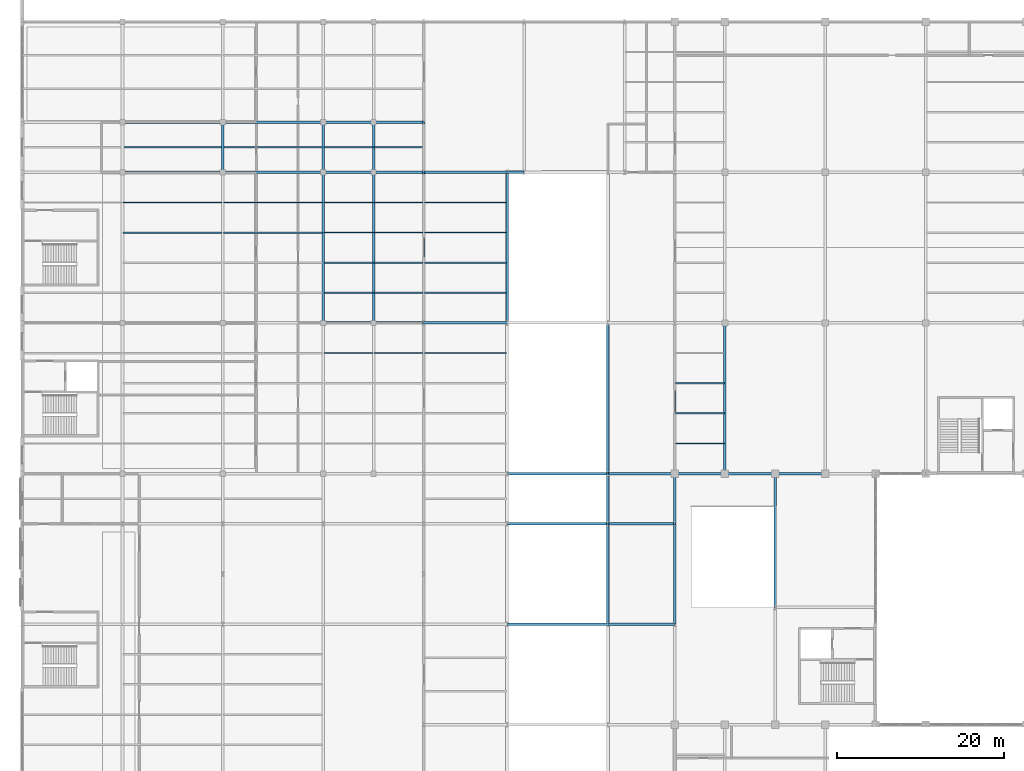
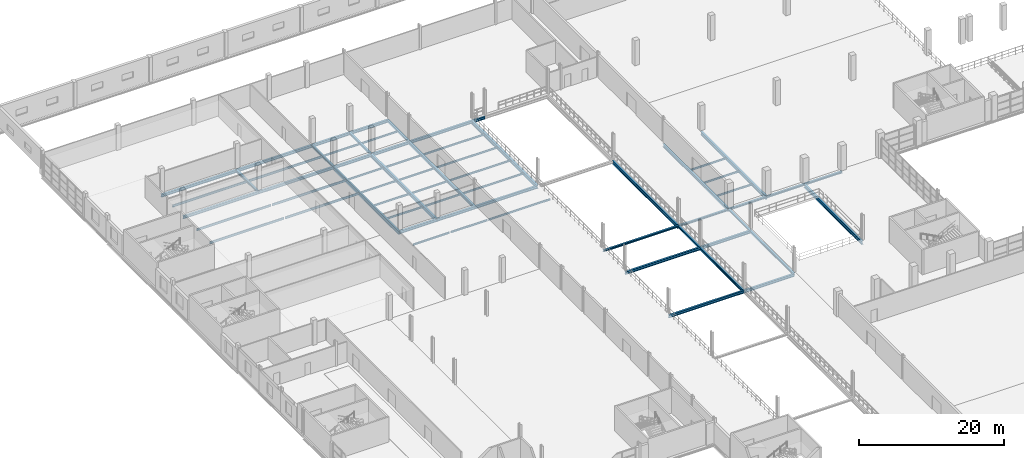
# One storey, part 55 of 158: 64 beams.
"""IFC4 building model written with IfcOpenShell, lengths in metres."""

from ifc_helpers import new_model, si_unit, direction, frame, origin, origin_2d, place, context, subcontext, project, spatial, i_section, extrude, material, material_profile, profile_set, type_object, element, save


model = new_model("IFC4")

# Units and contexts
model_context = context("Model", 3, precision=1e-05, world=origin(), true_north=direction((0.0, 1.0)))
body_context = subcontext(model_context, "Body", "Model", "MODEL_VIEW")
ifc_project = project(units=[si_unit("LENGTHUNIT", "METRE"), si_unit("AREAUNIT", "SQUARE_METRE"), si_unit("VOLUMEUNIT", "CUBIC_METRE"), si_unit("PLANEANGLEUNIT", "RADIAN"), si_unit("MASSUNIT", "GRAM", prefix="KILO")], contexts=[model_context])

# Site, building, storey
site_placement = place(None, origin())
site = spatial("IfcSite", under=ifc_project, at=site_placement, CompositionType="ELEMENT")
building_placement = place(site_placement, origin())
building = spatial("IfcBuilding", under=site, at=building_placement, Name="Zilviju Railside Exhibition Hall", CompositionType="ELEMENT")
storey_placement = place(building_placement, frame((0.0, 0.0, 4.199951171875)))
storey = spatial("IfcBuildingStorey", under=building, at=storey_placement, Name="L02", CompositionType="ELEMENT", Elevation=4.199951171875)

# Beams
ifc_material = material(Name="Steel S355J2", Category="steel")
ifc_material_profile_1 = material_profile(ifc_material, i_section(OverallWidth=0.300048828125, OverallDepth=0.2900390625, WebThickness=0.008544921875, FlangeThickness=0.013916015625, at=origin_2d()), Name="HEA 300")
ifc_profile_set_1 = profile_set([ifc_material_profile_1], Name="Steel S355J2")
beam_type_1 = type_object("IfcBeamType", Name="BM-HEA300", PredefinedType="SPANDREL", material=ifc_profile_set_1)
beam_1_placement = place(storey_placement, frame((58.0, 84.0, -0.494873046875), z_axis=(1.0, 0.0, 0.0), x_axis=(0.0, 1.0, 0.0)))
element("IfcBeam", 1, at=beam_1_placement, inside=storey, type_object=beam_type_1, Name="Primary Girder L02 Y=84.0 (58.0..70.0)", PredefinedType="SPANDREL", context=body_context, shape_type="SweptSolid", body=[
    extrude(i_section(OverallWidth=0.300048828125, OverallDepth=0.2900390625, WebThickness=0.008544921875, FlangeThickness=0.013916015625, at=origin_2d()), origin(), (0.0, 0.0, 1.0), 12.0),
])
beam_2_placement = place(storey_placement, frame((70.0, 84.0, -0.494873046875), z_axis=(1.0, 0.0, 0.0), x_axis=(0.0, 1.0, 0.0)))
element("IfcBeam", 2, at=beam_2_placement, inside=storey, type_object=beam_type_1, Name="Primary Girder L02 Y=84.0 (70.0..78.0)", PredefinedType="SPANDREL", context=body_context, shape_type="SweptSolid", body=[
    extrude(i_section(OverallWidth=0.300048828125, OverallDepth=0.2900390625, WebThickness=0.008544921875, FlangeThickness=0.013916015625, at=origin_2d()), origin(), (0.0, 0.0, 1.0), 8.0),
])
for number, where, z_axis, x_axis, name in (
    (3, (78.0, 84.0, -0.494873046875), (1.0, 0.0, 0.0), (0.0, 1.0, 0.0), "Primary Girder L02 Y=84.0 (78.0..84.0)"),
    (4, (84.0, 84.0, -0.494873046875), (1.0, 0.0, 0.0), (0.0, 1.0, 0.0), "Primary Girder L02 Y=84.0 (84.0..90.0)"),
    (5, (90.0, 84.0, -0.494873046875), (1.0, 0.0, 0.0), (0.0, 1.0, 0.0), "Primary Girder L02 Y=84.0 (90.0..96.0)"),
    (6, (48.0, 120.0, -0.494873046875), (0.0, 1.0, 0.0), (-1.0, 0.0, 0.0), "Transverse Girder L02 X=48.0 (120.0..126.0)"),
    (7, (78.0, 78.0, -0.494873046875), (0.0, 1.0, 0.0), (-1.0, 0.0, 0.0), "Transverse Girder L02 X=78.0 (78.0..84.0)"),
):
    element("IfcBeam", number, at=place(storey_placement, frame(where, z_axis=z_axis, x_axis=x_axis)), inside=storey, type_object=beam_type_1, Name=name, PredefinedType="SPANDREL", context=body_context, shape_type="SweptSolid", body=[
        extrude(i_section(OverallWidth=0.300048828125, OverallDepth=0.2900390625, WebThickness=0.008544921875, FlangeThickness=0.013916015625, at=origin_2d()), origin(), (0.0, 0.0, 1.0), 6.0),
    ])
ifc_material_profile_2 = material_profile(ifc_material, i_section(OverallWidth=0.300048828125, OverallDepth=0.35009765625, WebThickness=0.010009765625, FlangeThickness=0.017578125, at=origin_2d()), Name="HEA 360")
ifc_profile_set_2 = profile_set([ifc_material_profile_2], Name="Steel S355J2")
beam_type_2 = type_object("IfcBeamType", Name="BM-HEA360", PredefinedType="BEAM", material=ifc_profile_set_2)
beam_3_placement = place(storey_placement, frame((78.0, 66.0, -0.52490234375), z_axis=(0.0, 1.0, 0.0), x_axis=(-1.0, 0.0, 0.0)))
element("IfcBeam", 8, at=beam_3_placement, inside=storey, type_object=beam_type_2, Name="Transverse Girder L02 X=78.0 (66.0..78.0)", PredefinedType="BEAM", context=body_context, shape_type="SweptSolid", body=[
    extrude(i_section(OverallWidth=0.300048828125, OverallDepth=0.35009765625, WebThickness=0.010009765625, FlangeThickness=0.017578125, at=origin_2d()), origin(), (0.0, 0.0, 1.0), 12.0),
])
ifc_material_profile_3 = material_profile(ifc_material, i_section(OverallWidth=0.300048828125, OverallDepth=0.360107421875, WebThickness=0.012451171875, FlangeThickness=0.0224609375, at=origin_2d()), Name="HEB 360")
ifc_profile_set_3 = profile_set([ifc_material_profile_3], Name="Steel S355J2")
beam_type_3 = type_object("IfcBeamType", Name="BM-HEB360", PredefinedType="BEAM", material=ifc_profile_set_3)
for number, where, z_axis, x_axis, name in (
    (9, (24.0, 120.0, -0.530029296875), (0.0, 1.0, 0.0), (-1.0, 0.0, 0.0), "Transverse Girder L02 X=24.0 (120.0..126.0)"),
    (10, (36.0, 120.0, -0.530029296875), (0.0, 1.0, 0.0), (-1.0, 0.0, 0.0), "Transverse Girder L02 X=36.0 (120.0..126.0)"),
    (11, (42.0, 120.0, -0.530029296875), (0.0, 1.0, 0.0), (-1.0, 0.0, 0.0), "Transverse Girder L02 X=42.0 (120.0..126.0)"),
    (12, (70.0, 78.0, -0.530029296875), (0.0, 1.0, 0.0), (-1.0, 0.0, 0.0), "Transverse Girder L02 X=70.0 (78.0..84.0)"),
):
    element("IfcBeam", number, at=place(storey_placement, frame(where, z_axis=z_axis, x_axis=x_axis)), inside=storey, type_object=beam_type_3, Name=name, PredefinedType="BEAM", context=body_context, shape_type="SweptSolid", body=[
        extrude(i_section(OverallWidth=0.300048828125, OverallDepth=0.360107421875, WebThickness=0.012451171875, FlangeThickness=0.0224609375, at=origin_2d()), origin(), (0.0, 0.0, 1.0), 6.0),
    ])
ifc_material_profile_4 = material_profile(ifc_material, i_section(OverallWidth=0.300048828125, OverallDepth=0.449951171875, WebThickness=0.013916015625, FlangeThickness=0.02587890625, at=origin_2d()), Name="HEB 450")
ifc_profile_set_4 = profile_set([ifc_material_profile_4], Name="Steel S355J2")
beam_type_4 = type_object("IfcBeamType", Name="BM-HEB450", PredefinedType="BEAM", material=ifc_profile_set_4)
beam_4_placement = place(storey_placement, frame((58.0, 66.0, -0.574951171875), z_axis=(1.0, 0.0, 0.0), x_axis=(0.0, 1.0, 0.0)))
element("IfcBeam", 13, at=beam_4_placement, inside=storey, type_object=beam_type_4, Name="Primary Girder L02 Y=66.0 (58.0..70.0)", PredefinedType="BEAM", context=body_context, shape_type="SweptSolid", body=[
    extrude(i_section(OverallWidth=0.300048828125, OverallDepth=0.449951171875, WebThickness=0.013916015625, FlangeThickness=0.02587890625, at=origin_2d()), origin(), (0.0, 0.0, 1.0), 12.0),
])
beam_5_placement = place(storey_placement, frame((70.0, 66.0, -0.574951171875), z_axis=(1.0, 0.0, 0.0), x_axis=(0.0, 1.0, 0.0)))
element("IfcBeam", 14, at=beam_5_placement, inside=storey, type_object=beam_type_4, Name="Primary Girder L02 Y=66.0 (70.0..78.0)", PredefinedType="BEAM", context=body_context, shape_type="SweptSolid", body=[
    extrude(i_section(OverallWidth=0.300048828125, OverallDepth=0.449951171875, WebThickness=0.013916015625, FlangeThickness=0.02587890625, at=origin_2d()), origin(), (0.0, 0.0, 1.0), 8.0),
])
beam_6_placement = place(storey_placement, frame((58.0, 78.0, -0.574951171875), z_axis=(1.0, 0.0, 0.0), x_axis=(0.0, 1.0, 0.0)))
element("IfcBeam", 15, at=beam_6_placement, inside=storey, type_object=beam_type_4, Name="Primary Girder L02 Y=78.0 (58.0..70.0)", PredefinedType="BEAM", context=body_context, shape_type="SweptSolid", body=[
    extrude(i_section(OverallWidth=0.300048828125, OverallDepth=0.449951171875, WebThickness=0.013916015625, FlangeThickness=0.02587890625, at=origin_2d()), origin(), (0.0, 0.0, 1.0), 12.0),
])
beam_7_placement = place(storey_placement, frame((70.0, 78.0, -0.574951171875), z_axis=(1.0, 0.0, 0.0), x_axis=(0.0, 1.0, 0.0)))
element("IfcBeam", 16, at=beam_7_placement, inside=storey, type_object=beam_type_4, Name="Primary Girder L02 Y=78.0 (70.0..78.0)", PredefinedType="BEAM", context=body_context, shape_type="SweptSolid", body=[
    extrude(i_section(OverallWidth=0.300048828125, OverallDepth=0.449951171875, WebThickness=0.013916015625, FlangeThickness=0.02587890625, at=origin_2d()), origin(), (0.0, 0.0, 1.0), 8.0),
])
for number, where, z_axis, x_axis, name in (
    (17, (36.0, 102.0, -0.574951171875), (1.0, 0.0, 0.0), (0.0, 1.0, 0.0), "Primary Girder L02 Y=102.0 (36.0..42.0)"),
    (18, (42.0, 102.0, -0.574951171875), (1.0, 0.0, 0.0), (0.0, 1.0, 0.0), "Primary Girder L02 Y=102.0 (42.0..48.0)"),
):
    element("IfcBeam", number, at=place(storey_placement, frame(where, z_axis=z_axis, x_axis=x_axis)), inside=storey, type_object=beam_type_4, Name=name, PredefinedType="BEAM", context=body_context, shape_type="SweptSolid", body=[
        extrude(i_section(OverallWidth=0.300048828125, OverallDepth=0.449951171875, WebThickness=0.013916015625, FlangeThickness=0.02587890625, at=origin_2d()), origin(), (0.0, 0.0, 1.0), 6.0),
    ])
beam_8_placement = place(storey_placement, frame((48.0, 102.0, -0.574951171875), z_axis=(1.0, 0.0, 0.0), x_axis=(0.0, 1.0, 0.0)))
element("IfcBeam", 19, at=beam_8_placement, inside=storey, type_object=beam_type_4, Name="Primary Girder L02 Y=102.0 (48.0..58.0)", PredefinedType="BEAM", context=body_context, shape_type="SweptSolid", body=[
    extrude(i_section(OverallWidth=0.300048828125, OverallDepth=0.449951171875, WebThickness=0.013916015625, FlangeThickness=0.02587890625, at=origin_2d()), origin(), (0.0, 0.0, 1.0), 10.0),
])
for number, where, z_axis, x_axis, name in (
    (20, (12.0, 120.0, -0.574951171875), (1.0, 0.0, 0.0), (0.0, 1.0, 0.0), "Primary Girder L02 Y=120.0 (12.0..24.0)"),
    (21, (24.0, 120.0, -0.574951171875), (1.0, 0.0, 0.0), (0.0, 1.0, 0.0), "Primary Girder L02 Y=120.0 (24.0..36.0)"),
):
    element("IfcBeam", number, at=place(storey_placement, frame(where, z_axis=z_axis, x_axis=x_axis)), inside=storey, type_object=beam_type_4, Name=name, PredefinedType="BEAM", context=body_context, shape_type="SweptSolid", body=[
        extrude(i_section(OverallWidth=0.300048828125, OverallDepth=0.449951171875, WebThickness=0.013916015625, FlangeThickness=0.02587890625, at=origin_2d()), origin(), (0.0, 0.0, 1.0), 12.0),
    ])
for number, where, z_axis, x_axis, name in (
    (22, (36.0, 120.0, -0.574951171875), (1.0, 0.0, 0.0), (0.0, 1.0, 0.0), "Primary Girder L02 Y=120.0 (36.0..42.0)"),
    (23, (42.0, 120.0, -0.574951171875), (1.0, 0.0, 0.0), (0.0, 1.0, 0.0), "Primary Girder L02 Y=120.0 (42.0..48.0)"),
):
    element("IfcBeam", number, at=place(storey_placement, frame(where, z_axis=z_axis, x_axis=x_axis)), inside=storey, type_object=beam_type_4, Name=name, PredefinedType="BEAM", context=body_context, shape_type="SweptSolid", body=[
        extrude(i_section(OverallWidth=0.300048828125, OverallDepth=0.449951171875, WebThickness=0.013916015625, FlangeThickness=0.02587890625, at=origin_2d()), origin(), (0.0, 0.0, 1.0), 6.0),
    ])
beam_9_placement = place(storey_placement, frame((48.0, 120.0, -0.574951171875), z_axis=(1.0, 0.0, 0.0), x_axis=(0.0, 1.0, 0.0)))
element("IfcBeam", 24, at=beam_9_placement, inside=storey, type_object=beam_type_4, Name="Primary Girder L02 Y=120.0 (48.0..58.0)", PredefinedType="BEAM", context=body_context, shape_type="SweptSolid", body=[
    extrude(i_section(OverallWidth=0.300048828125, OverallDepth=0.449951171875, WebThickness=0.013916015625, FlangeThickness=0.02587890625, at=origin_2d()), origin(), (0.0, 0.0, 1.0), 10.0),
])
beam_10_placement = place(storey_placement, frame((58.0, 120.0, -0.574951171875), z_axis=(1.0, 0.0, 0.0), x_axis=(0.0, 1.0, 0.0)))
element("IfcBeam", 25, at=beam_10_placement, inside=storey, type_object=beam_type_4, Name="Primary Girder L02 Y=120.0 (58.0..60.0)", PredefinedType="BEAM", context=body_context, shape_type="SweptSolid", body=[
    extrude(i_section(OverallWidth=0.300048828125, OverallDepth=0.449951171875, WebThickness=0.013916015625, FlangeThickness=0.02587890625, at=origin_2d()), origin(), (0.0, 0.0, 1.0), 2.0),
])
for number, where, z_axis, x_axis, name in (
    (26, (12.0, 126.0, -0.574951171875), (1.0, 0.0, 0.0), (0.0, 1.0, 0.0), "Primary Girder L02 Y=126.0 (12.0..24.0)"),
    (27, (24.0, 126.0, -0.574951171875), (1.0, 0.0, 0.0), (0.0, 1.0, 0.0), "Primary Girder L02 Y=126.0 (24.0..36.0)"),
):
    element("IfcBeam", number, at=place(storey_placement, frame(where, z_axis=z_axis, x_axis=x_axis)), inside=storey, type_object=beam_type_4, Name=name, PredefinedType="BEAM", context=body_context, shape_type="SweptSolid", body=[
        extrude(i_section(OverallWidth=0.300048828125, OverallDepth=0.449951171875, WebThickness=0.013916015625, FlangeThickness=0.02587890625, at=origin_2d()), origin(), (0.0, 0.0, 1.0), 12.0),
    ])
for number, where, z_axis, x_axis, name in (
    (28, (36.0, 126.0, -0.574951171875), (1.0, 0.0, 0.0), (0.0, 1.0, 0.0), "Primary Girder L02 Y=126.0 (36.0..42.0)"),
    (29, (42.0, 126.0, -0.574951171875), (1.0, 0.0, 0.0), (0.0, 1.0, 0.0), "Primary Girder L02 Y=126.0 (42.0..48.0)"),
):
    element("IfcBeam", number, at=place(storey_placement, frame(where, z_axis=z_axis, x_axis=x_axis)), inside=storey, type_object=beam_type_4, Name=name, PredefinedType="BEAM", context=body_context, shape_type="SweptSolid", body=[
        extrude(i_section(OverallWidth=0.300048828125, OverallDepth=0.449951171875, WebThickness=0.013916015625, FlangeThickness=0.02587890625, at=origin_2d()), origin(), (0.0, 0.0, 1.0), 6.0),
    ])
beam_11_placement = place(storey_placement, frame((70.0, 66.0, -0.574951171875), z_axis=(0.0, 1.0, 0.0), x_axis=(-1.0, 0.0, 0.0)))
element("IfcBeam", 30, at=beam_11_placement, inside=storey, type_object=beam_type_4, Name="Transverse Girder L02 X=70.0 (66.0..78.0)", PredefinedType="BEAM", context=body_context, shape_type="SweptSolid", body=[
    extrude(i_section(OverallWidth=0.300048828125, OverallDepth=0.449951171875, WebThickness=0.013916015625, FlangeThickness=0.02587890625, at=origin_2d()), origin(), (0.0, 0.0, 1.0), 12.0),
])
ifc_material_profile_5 = material_profile(ifc_material, i_section(OverallWidth=0.300048828125, OverallDepth=0.5, WebThickness=0.014404296875, FlangeThickness=0.028076171875, at=origin_2d()), Name="HEB 500")
ifc_profile_set_5 = profile_set([ifc_material_profile_5], Name="Steel S355J2")
beam_type_5 = type_object("IfcBeamType", Name="BM-HEB500", PredefinedType="BEAM", material=ifc_profile_set_5)
for number, where, z_axis, x_axis, name in (
    (31, (48.0, 102.0, -0.599853515625), (0.0, 1.0, 0.0), (-1.0, 0.0, 0.0), "Transverse Girder L02 X=48.0 (102.0..120.0)"),
    (32, (78.0, 84.0, -0.599853515625), (0.0, 1.0, 0.0), (-1.0, 0.0, 0.0), "Transverse Girder L02 X=78.0 (84.0..102.0)"),
):
    element("IfcBeam", number, at=place(storey_placement, frame(where, z_axis=z_axis, x_axis=x_axis)), inside=storey, type_object=beam_type_5, Name=name, PredefinedType="BEAM", context=body_context, shape_type="SweptSolid", body=[
        extrude(i_section(OverallWidth=0.300048828125, OverallDepth=0.5, WebThickness=0.014404296875, FlangeThickness=0.028076171875, at=origin_2d()), origin(), (0.0, 0.0, 1.0), 18.0),
    ])
ifc_material_profile_6 = material_profile(ifc_material, i_section(OverallWidth=0.300048828125, OverallDepth=0.60009765625, WebThickness=0.015380859375, FlangeThickness=0.030029296875, at=origin_2d()), Name="HEB 600")
ifc_profile_set_6 = profile_set([ifc_material_profile_6], Name="Steel S355J2")
beam_type_6 = type_object("IfcBeamType", Name="BM-HEB600", PredefinedType="BEAM", material=ifc_profile_set_6)
for number, where, z_axis, x_axis, name in (
    (33, (36.0, 102.0, -0.64990234375), (0.0, 1.0, 0.0), (-1.0, 0.0, 0.0), "Transverse Girder L02 X=36.0 (102.0..120.0)"),
    (34, (42.0, 102.0, -0.64990234375), (0.0, 1.0, 0.0), (-1.0, 0.0, 0.0), "Transverse Girder L02 X=42.0 (102.0..120.0)"),
    (35, (58.0, 102.0, -0.64990234375), (0.0, 1.0, 0.0), (-1.0, 0.0, 0.0), "Transverse Girder L02 X=58.0 (102.0..120.0)"),
    (36, (70.0, 84.0, -0.64990234375), (0.0, 1.0, 0.0), (-1.0, 0.0, 0.0), "Transverse Girder L02 X=70.0 (84.0..102.0)"),
    (37, (84.0, 84.0, -0.64990234375), (0.0, 1.0, 0.0), (-1.0, 0.0, 0.0), "Transverse Girder L02 X=84.0 (84.0..102.0)"),
):
    element("IfcBeam", number, at=place(storey_placement, frame(where, z_axis=z_axis, x_axis=x_axis)), inside=storey, type_object=beam_type_6, Name=name, PredefinedType="BEAM", context=body_context, shape_type="SweptSolid", body=[
        extrude(i_section(OverallWidth=0.300048828125, OverallDepth=0.60009765625, WebThickness=0.015380859375, FlangeThickness=0.030029296875, at=origin_2d()), origin(), (0.0, 0.0, 1.0), 18.0),
    ])
beam_12_placement = place(storey_placement, frame((90.0, 68.0, -0.64990234375), z_axis=(0.0, 1.0, 0.0), x_axis=(-1.0, 0.0, 0.0)))
element("IfcBeam", 38, at=beam_12_placement, inside=storey, type_object=beam_type_6, Name="Transverse Girder L02 X=90.0 (68.0..84.0)", PredefinedType="BEAM", context=body_context, shape_type="SweptSolid", body=[
    extrude(i_section(OverallWidth=0.300048828125, OverallDepth=0.60009765625, WebThickness=0.015380859375, FlangeThickness=0.030029296875, at=origin_2d()), origin(), (0.0, 0.0, 1.0), 16.0),
])
ifc_material_profile_7 = material_profile(ifc_material, i_section(OverallWidth=0.14990234375, OverallDepth=0.300048828125, WebThickness=0.007080078125, FlangeThickness=0.0107421875, at=origin_2d()), Name="IPE 300")
ifc_profile_set_7 = profile_set([ifc_material_profile_7], Name="Steel S355J2")
beam_type_7 = type_object("IfcBeamType", Name="BM-IPE300", PredefinedType="JOIST", material=ifc_profile_set_7)
for number, where, z_axis, x_axis, name in (
    (39, (36.080078125, 98.39990234375, -0.510009765625), (1.0, 0.0, 0.0), (0.0, 1.0, 0.0), "Composite Floor Joist L02 Y=98.40 (36.0..42.0)"),
    (40, (36.080078125, 105.60009765625, -0.5), (1.0, 0.0, 0.0), (0.0, 1.0, 0.0), "Composite Floor Joist L02 Y=105.60 (36.0..42.0)"),
    (41, (36.080078125, 109.199951171875, -0.5), (1.0, 0.0, 0.0), (0.0, 1.0, 0.0), "Composite Floor Joist L02 Y=109.20 (36.0..42.0)"),
    (42, (36.080078125, 112.800048828125, -0.5), (1.0, 0.0, 0.0), (0.0, 1.0, 0.0), "Composite Floor Joist L02 Y=112.80 (36.0..42.0)"),
    (43, (36.080078125, 116.39990234375, -0.5), (1.0, 0.0, 0.0), (0.0, 1.0, 0.0), "Composite Floor Joist L02 Y=116.40 (36.0..42.0)"),
    (44, (36.080078125, 123.0, -0.5), (1.0, 0.0, 0.0), (0.0, 1.0, 0.0), "Composite Floor Joist L02 Y=123.00 (36.0..42.0)"),
    (45, (42.080078125, 98.39990234375, -0.510009765625), (1.0, 0.0, 0.0), (0.0, 1.0, 0.0), "Composite Floor Joist L02 Y=98.40 (42.0..48.0)"),
    (46, (42.080078125, 105.60009765625, -0.5), (1.0, 0.0, 0.0), (0.0, 1.0, 0.0), "Composite Floor Joist L02 Y=105.60 (42.0..48.0)"),
    (47, (42.080078125, 109.199951171875, -0.5), (1.0, 0.0, 0.0), (0.0, 1.0, 0.0), "Composite Floor Joist L02 Y=109.20 (42.0..48.0)"),
    (48, (42.080078125, 112.800048828125, -0.5), (1.0, 0.0, 0.0), (0.0, 1.0, 0.0), "Composite Floor Joist L02 Y=112.80 (42.0..48.0)"),
    (49, (42.080078125, 116.39990234375, -0.5), (1.0, 0.0, 0.0), (0.0, 1.0, 0.0), "Composite Floor Joist L02 Y=116.40 (42.0..48.0)"),
    (50, (42.080078125, 123.0, -0.5), (1.0, 0.0, 0.0), (0.0, 1.0, 0.0), "Composite Floor Joist L02 Y=123.00 (42.0..48.0)"),
):
    element("IfcBeam", number, at=place(storey_placement, frame(where, z_axis=z_axis, x_axis=x_axis)), inside=storey, type_object=beam_type_7, Name=name, PredefinedType="JOIST", context=body_context, shape_type="SweptSolid", body=[
        extrude(i_section(OverallWidth=0.14990234375, OverallDepth=0.300048828125, WebThickness=0.007080078125, FlangeThickness=0.0107421875, at=origin_2d()), origin(), (0.0, 0.0, 1.0), 5.83984375),
    ])
for number, where, z_axis, x_axis, name in (
    (51, (48.080078125, 98.39990234375, -0.510009765625), (1.0, 0.0, 0.0), (0.0, 1.0, 0.0), "Composite Floor Joist L02 Y=98.40 (48.0..58.0)"),
    (52, (48.080078125, 105.60009765625, -0.5), (1.0, 0.0, 0.0), (0.0, 1.0, 0.0), "Composite Floor Joist L02 Y=105.60 (48.0..58.0)"),
    (53, (48.080078125, 109.199951171875, -0.5), (1.0, 0.0, 0.0), (0.0, 1.0, 0.0), "Composite Floor Joist L02 Y=109.20 (48.0..58.0)"),
    (54, (48.080078125, 112.800048828125, -0.5), (1.0, 0.0, 0.0), (0.0, 1.0, 0.0), "Composite Floor Joist L02 Y=112.80 (48.0..58.0)"),
    (55, (48.080078125, 116.39990234375, -0.5), (1.0, 0.0, 0.0), (0.0, 1.0, 0.0), "Composite Floor Joist L02 Y=116.40 (48.0..58.0)"),
):
    element("IfcBeam", number, at=place(storey_placement, frame(where, z_axis=z_axis, x_axis=x_axis)), inside=storey, type_object=beam_type_7, Name=name, PredefinedType="JOIST", context=body_context, shape_type="SweptSolid", body=[
        extrude(i_section(OverallWidth=0.14990234375, OverallDepth=0.300048828125, WebThickness=0.007080078125, FlangeThickness=0.0107421875, at=origin_2d()), origin(), (0.0, 0.0, 1.0), 9.83984375),
    ])
for number, where, z_axis, x_axis, name in (
    (56, (78.080078125, 87.60009765625, -0.5), (1.0, 0.0, 0.0), (0.0, 1.0, 0.0), "Composite Floor Joist L02 Y=87.60 (78.0..84.0)"),
    (57, (78.080078125, 91.199951171875, -0.5), (1.0, 0.0, 0.0), (0.0, 1.0, 0.0), "Composite Floor Joist L02 Y=91.20 (78.0..84.0)"),
    (58, (78.080078125, 94.800048828125, -0.5), (1.0, 0.0, 0.0), (0.0, 1.0, 0.0), "Composite Floor Joist L02 Y=94.80 (78.0..84.0)"),
):
    element("IfcBeam", number, at=place(storey_placement, frame(where, z_axis=z_axis, x_axis=x_axis)), inside=storey, type_object=beam_type_7, Name=name, PredefinedType="JOIST", context=body_context, shape_type="SweptSolid", body=[
        extrude(i_section(OverallWidth=0.14990234375, OverallDepth=0.300048828125, WebThickness=0.007080078125, FlangeThickness=0.0107421875, at=origin_2d()), origin(), (0.0, 0.0, 1.0), 5.83984375),
    ])
ifc_material_profile_8 = material_profile(ifc_material, i_section(OverallWidth=0.169921875, OverallDepth=0.360107421875, WebThickness=0.008056640625, FlangeThickness=0.0126953125, at=origin_2d()), Name="IPE 360")
ifc_profile_set_8 = profile_set([ifc_material_profile_8], Name="Steel S355J2")
beam_type_8 = type_object("IfcBeamType", Name="BM-IPE360", PredefinedType="JOIST", material=ifc_profile_set_8)
for number, where, z_axis, x_axis, name in (
    (59, (12.080078125, 112.800048828125, -0.530029296875), (1.0, 0.0, 0.0), (0.0, 1.0, 0.0), "Composite Floor Joist L02 Y=112.80 (12.0..24.0)"),
    (60, (12.080078125, 116.39990234375, -0.530029296875), (1.0, 0.0, 0.0), (0.0, 1.0, 0.0), "Composite Floor Joist L02 Y=116.40 (12.0..24.0)"),
    (61, (12.080078125, 123.0, -0.530029296875), (1.0, 0.0, 0.0), (0.0, 1.0, 0.0), "Composite Floor Joist L02 Y=123.00 (12.0..24.0)"),
    (62, (24.080078125, 112.800048828125, -0.530029296875), (1.0, 0.0, 0.0), (0.0, 1.0, 0.0), "Composite Floor Joist L02 Y=112.80 (24.0..36.0)"),
    (63, (24.080078125, 116.39990234375, -0.530029296875), (1.0, 0.0, 0.0), (0.0, 1.0, 0.0), "Composite Floor Joist L02 Y=116.40 (24.0..36.0)"),
    (64, (24.080078125, 123.0, -0.530029296875), (1.0, 0.0, 0.0), (0.0, 1.0, 0.0), "Composite Floor Joist L02 Y=123.00 (24.0..36.0)"),
):
    element("IfcBeam", number, at=place(storey_placement, frame(where, z_axis=z_axis, x_axis=x_axis)), inside=storey, type_object=beam_type_8, Name=name, PredefinedType="JOIST", context=body_context, shape_type="SweptSolid", body=[
        extrude(i_section(OverallWidth=0.169921875, OverallDepth=0.360107421875, WebThickness=0.008056640625, FlangeThickness=0.0126953125, at=origin_2d()), origin(), (0.0, 0.0, 1.0), 11.83984375),
    ])

save(model, "model.ifc")
